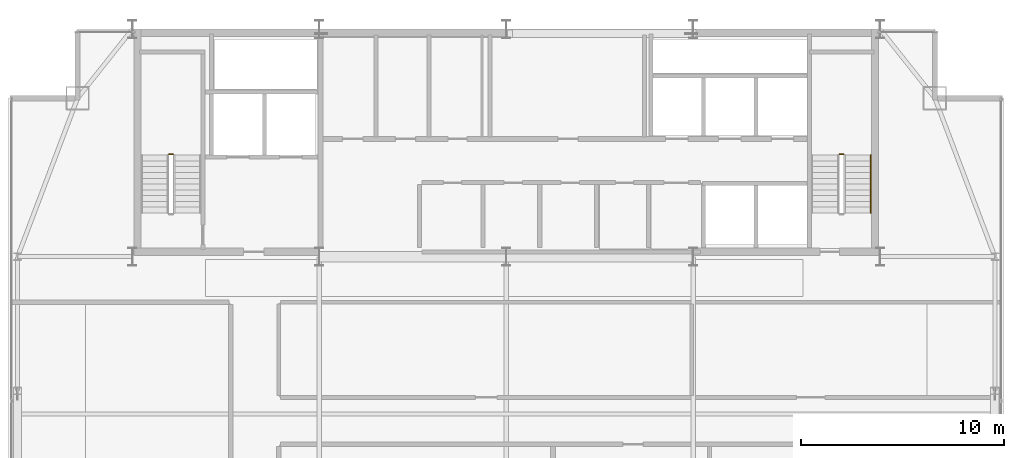
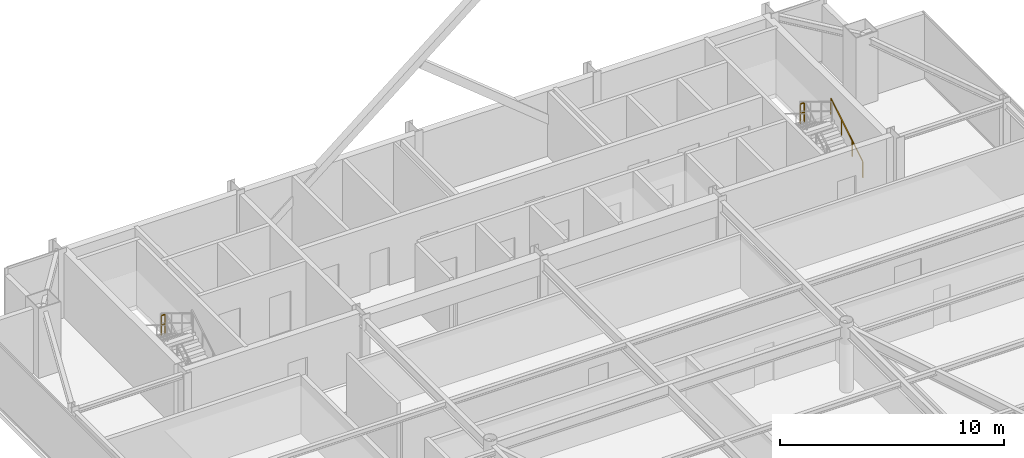
# One storey, part 31 of 31: 3 railings.
"""IFC4 building model written with IfcOpenShell, lengths in metres."""

import ifcopenshell
import ifcopenshell.guid

model = None  # the IFC model being written
_history = None  # IfcOwnerHistory: only IFC2X3 demands one
_inside = {}  # id of a spatial element -> (the spatial element, [elements in it])
_under = {}  # id of a project, library or spatial element -> (it, [spatial elements below it])
_declared = {}  # id of a project -> (the project, [libraries it declares])
_typed = {}  # id of a type object -> (the type object, [elements of that type])
_made_of = {}  # id of a material, layer set ... -> (it, [elements and type objects made of it])


def new_model(schema):
    """Start an empty IFC model of exactly this schema.

    Asked for "IFC4X3", IfcOpenShell would pick the latest addendum, in which some entities
    have other attributes; the version numbers below select the first issue.
    IFC2X3 requires an IfcOwnerHistory on every rooted entity: one is made here for all.
    """
    global model, _history
    if schema == "IFC4X3":
        model = ifcopenshell.file(schema_version=(4, 3, 0, 0))
    else:
        model = ifcopenshell.file(schema=schema)
    _inside.clear()
    _under.clear()
    _declared.clear()
    _typed.clear()
    _made_of.clear()
    _history = None
    if model.schema == "IFC2X3":
        org = make("IfcOrganization", Name="unknown")
        user = make(
            "IfcPersonAndOrganization",
            ThePerson=make("IfcPerson", FamilyName="unknown"),
            TheOrganization=org,
        )
        app = make(
            "IfcApplication",
            ApplicationDeveloper=org,
            Version="unknown",
            ApplicationFullName="unknown",
            ApplicationIdentifier="unknown",
        )
        _history = make(
            "IfcOwnerHistory",
            OwningUser=user,
            OwningApplication=app,
            ChangeAction="ADDED",
            CreationDate=0,
        )
    return model


def make(cls, **values):
    """One entity of the class cls with the attributes given. An attribute that is None is left unset."""
    return model.create_entity(
        cls, **{name: value for name, value in values.items() if value is not None}
    )


def rooted(cls, **values):
    """An entity with a GlobalId (a new one), such as an element, a storey or a relation."""
    return make(cls, GlobalId=ifcopenshell.guid.new(), OwnerHistory=_history, **values)


def si_unit(unit_type, name, prefix=None):
    """IfcSIUnit, for example si_unit("LENGTHUNIT", "METRE", prefix="MILLI")."""
    return make("IfcSIUnit", UnitType=unit_type, Prefix=prefix, Name=name)


def assignment(units):
    """IfcUnitAssignment: the units of a project."""
    return None if units is None else make("IfcUnitAssignment", Units=units)


def point(xyz):
    """IfcCartesianPoint."""
    return None if xyz is None else make("IfcCartesianPoint", Coordinates=xyz)


def direction(xyz):
    """IfcDirection."""
    return None if xyz is None else make("IfcDirection", DirectionRatios=xyz)


def frame(location, z_axis=None, x_axis=None):
    """IfcAxis2Placement3D, a coordinate frame: its origin and axes. An axis left out is left unset."""
    return make(
        "IfcAxis2Placement3D",
        Location=point(location),
        Axis=direction(z_axis),
        RefDirection=direction(x_axis),
    )


def frame_2d(location, x_axis=None):
    """IfcAxis2Placement2D, a coordinate frame in the plane: its origin and x axis."""
    return make(
        "IfcAxis2Placement2D", Location=point(location), RefDirection=direction(x_axis)
    )


def origin():
    """The frame at (0, 0, 0) with its axes left unset."""
    return frame((0.0, 0.0, 0.0))


def origin_2d():
    """The frame at (0, 0) in the plane with its x axis left unset."""
    return frame_2d((0.0, 0.0))


def place(relative_to, where):
    """IfcLocalPlacement: puts the frame where relative to a parent placement (None: the world)."""
    return make(
        "IfcLocalPlacement", PlacementRelTo=relative_to, RelativePlacement=where
    )


def context(
    kind, dimensions, precision=None, world=None, true_north=None, identifier=None
):
    """IfcGeometricRepresentationContext, for example the 3D "Model" context."""
    return make(
        "IfcGeometricRepresentationContext",
        ContextIdentifier=identifier,
        ContextType=kind,
        CoordinateSpaceDimension=dimensions,
        Precision=precision,
        WorldCoordinateSystem=world,
        TrueNorth=true_north,
    )


def subcontext(parent, identifier, kind, view, scale=None):
    """IfcGeometricRepresentationSubContext, for example "Body" below "Model"."""
    return make(
        "IfcGeometricRepresentationSubContext",
        ContextIdentifier=identifier,
        ContextType=kind,
        ParentContext=parent,
        TargetScale=scale,
        TargetView=view,
    )


def project(units=None, contexts=None):
    """IfcProject with its units and contexts."""
    return rooted(
        "IfcProject",
        Name="project",
        RepresentationContexts=contexts,
        UnitsInContext=assignment(units),
    )


def spatial(cls, under=None, at=None, **own):
    """A site, building, storey or space (cls), placed at a placement, below another one or the project."""
    s = rooted(cls, ObjectPlacement=at, **own)
    if under is not None:
        _under.setdefault(under.id(), (under, []))[1].append(s)
    return s


def profile(cls, at=None, kind="AREA", **sizes):
    """A parametric profile (cls). Its sizes go by their IFC names, for example OverallWidth=200.0."""
    return make(cls, ProfileType=kind, Position=at, **sizes)


def rectangle(**sizes):
    """IfcRectangleProfileDef."""
    return profile("IfcRectangleProfileDef", **sizes)


def extrude(swept, where, along, depth):
    """IfcExtrudedAreaSolid: the profile swept, set in the frame where, extruded along a direction by depth."""
    return make(
        "IfcExtrudedAreaSolid",
        SweptArea=swept,
        Position=where,
        ExtrudedDirection=direction(along),
        Depth=depth,
    )


def shape(context_of_items, identifier, shape_type, items):
    """IfcShapeRepresentation: the items that make up one representation, for example the "Body"."""
    return make(
        "IfcShapeRepresentation",
        ContextOfItems=context_of_items,
        RepresentationIdentifier=identifier,
        RepresentationType=shape_type,
        Items=items,
    )


def material(Name=None, Category=None):
    """IfcMaterial."""
    return make("IfcMaterial", Name=Name, Category=Category)


def made_of(thing, what):
    """Note that an element or type object is made of a material, layer set ...; save() writes the relation."""
    if what is not None:
        _made_of.setdefault(what.id(), (what, []))[1].append(thing)
    return thing


def type_object(cls, material=None, **own):
    """A type object (cls), such as IfcWallType, which elements share."""
    return made_of(rooted(cls, **own), material)


def element(
    cls,
    number,
    at=None,
    inside=None,
    cuts=None,
    type_object=None,
    material=None,
    context=None,
    identifier="Body",
    shape_type=None,
    held_by="IfcProductDefinitionShape",
    body=None,
    shapes=None,
    **own,
):
    """One element of the class cls, such as IfcWall. Its Tag is "e" and its number.

    at: its placement. inside: the storey or other place that contains it. cuts: it is an
    opening in that element (IfcRelVoidsElement). A single representation is given by context,
    identifier, shape_type and body (its items); several are given by shapes. held_by: the class
    of the entity that holds the representations. save() writes the other relations.
    """
    e = rooted(cls, Tag="e%d" % number, ObjectPlacement=at, **own)
    if body is not None:
        shapes = [shape(context, identifier, shape_type, body)]
    if shapes is not None:
        e.Representation = make(held_by, Representations=shapes)
    if inside is not None:
        _inside.setdefault(inside.id(), (inside, []))[1].append(e)
    if cuts is not None:
        rooted(
            "IfcRelVoidsElement", RelatingBuildingElement=cuts, RelatedOpeningElement=e
        )
    if type_object is not None:
        _typed.setdefault(type_object.id(), (type_object, []))[1].append(e)
    return made_of(e, material)


def aggregate(whole, parts):
    """IfcRelAggregates: a whole, such as a stair, and the parts it consists of."""
    return rooted("IfcRelAggregates", RelatingObject=whole, RelatedObjects=parts)


def save(model, path):
    """Write the relations noted so far, then the file.

    IfcRelAggregates (storeys below a building ...), IfcRelContainedInSpatialStructure (elements
    in a storey), IfcRelDefinesByType, IfcRelAssociatesMaterial and IfcRelDeclares: one each for
    every whole, place, type object, material and project.
    """
    for whole, parts in _under.values():
        aggregate(whole, parts)
    for where, things in _inside.values():
        rooted(
            "IfcRelContainedInSpatialStructure",
            RelatedElements=things,
            RelatingStructure=where,
        )
    for kind, things in _typed.values():
        rooted("IfcRelDefinesByType", RelatedObjects=things, RelatingType=kind)
    for what, things in _made_of.values():
        rooted("IfcRelAssociatesMaterial", RelatedObjects=things, RelatingMaterial=what)
    for by, libraries in _declared.values():
        rooted("IfcRelDeclares", RelatingContext=by, RelatedDefinitions=libraries)
    model.write(path)


model = new_model("IFC4")

# Units and contexts
model_context = context("Model", 3, precision=1e-05, world=origin(), true_north=direction((0.0, 1.0)))
body_context = subcontext(model_context, "Body", "Model", "MODEL_VIEW")
ifc_project = project(units=[si_unit("LENGTHUNIT", "METRE"), si_unit("AREAUNIT", "SQUARE_METRE"), si_unit("VOLUMEUNIT", "CUBIC_METRE"), si_unit("PLANEANGLEUNIT", "RADIAN"), si_unit("MASSUNIT", "GRAM", prefix="KILO")], contexts=[model_context])

# Site, building, storey
site_placement = place(None, origin())
site = spatial("IfcSite", under=ifc_project, at=site_placement, CompositionType="ELEMENT")
building_placement = place(site_placement, origin())
building = spatial("IfcBuilding", under=site, at=building_placement, Name="Varnel Quay Broadcast Tower", CompositionType="ELEMENT")
storey_placement = place(building_placement, frame((0.0, 0.0, 239.39990234375)))
storey = spatial("IfcBuildingStorey", under=building, at=storey_placement, Name="L59", CompositionType="ELEMENT", Elevation=239.39990234375)

# Railings
ifc_material = material(Name="Painted Steel Guard and Handrail CSA G40.21 350W", Category="steel")
railing_type_1 = type_object("IfcRailingType", Name="Rail_StairGuard1100", PredefinedType="GUARDRAIL", material=ifc_material)
for number, where, name in (
    (1, (17.60009765625, 40.64990234375, 1.900146484375), "L59 ST-01 stair guard 2"),
    (2, (50.60009765625, 40.64990234375, 1.900146484375), "L59 ST-02 stair guard 2"),
):
    element("IfcRailing", number, at=place(storey_placement, frame(where)), inside=storey, type_object=railing_type_1, Name=name, PredefinedType="GUARDRAIL", context=body_context, shape_type="SweptSolid", body=[
        extrude(rectangle(XDim=0.048095703125, YDim=0.048095703125, at=origin_2d()), frame((0.0, 0.0, 1.076171875), z_axis=(-1.0, 0.0, 0.0), x_axis=(0.0, -1.0, 0.0)), (0.0, 0.0, 1.0), 0.2001953125),
        extrude(rectangle(XDim=0.048095703125, YDim=0.048095703125, at=origin_2d()), frame((0.0, 0.0, 0.550048828125), z_axis=(-1.0, 0.0, 0.0), x_axis=(0.0, -1.0, 0.0)), (0.0, 0.0, 1.0), 0.2001953125),
        extrude(rectangle(XDim=0.0419921875, YDim=0.0419921875, at=origin_2d()), origin(), (0.0, 0.0, 1.0), 1.052001953125),
        extrude(rectangle(XDim=0.0419921875, YDim=0.0419921875, at=origin_2d()), frame((-0.2001953125, 0.0, 0.0)), (0.0, 0.0, 1.0), 1.052001953125),
    ])
railing_type_2 = type_object("IfcRailingType", Name="Rail_StairHandrail900", PredefinedType="HANDRAIL", material=ifc_material)
railing_placement = place(storey_placement, frame((51.949951171875, 37.75, 0.1728515625)))
element("IfcRailing", 3, at=railing_placement, inside=storey, type_object=railing_type_2, Name="L59 ST-02 stair handrail 1", PredefinedType="HANDRAIL", context=body_context, shape_type="SweptSolid", body=[
    extrude(rectangle(XDim=0.048095703125, YDim=0.048095703125, at=origin_2d()), frame((0.0, 0.0, 0.8759765625), z_axis=(0.0, 0.855202751398, 0.518293598264), x_axis=(-1.0, 0.0, 0.0)), (0.0, 0.0, 1.0), 3.332763671875),
    extrude(rectangle(XDim=0.0419921875, YDim=0.0419921875, at=origin_2d()), origin(), (0.0, 0.0, 1.0), 0.851806640625),
    extrude(rectangle(XDim=0.0419921875, YDim=0.0419921875, at=origin_2d()), frame((0.0, 0.949951171875, 0.57568359375)), (0.0, 0.0, 1.0), 0.851806640625),
    extrude(rectangle(XDim=0.0419921875, YDim=0.0419921875, at=origin_2d()), frame((0.0, 1.900146484375, 1.151611328125)), (0.0, 0.0, 1.0), 0.851806640625),
    extrude(rectangle(XDim=0.0419921875, YDim=0.0419921875, at=origin_2d()), frame((0.0, 2.85009765625, 1.727294921875)), (0.0, 0.0, 1.0), 0.851806640625),
])

save(model, "model.ifc")
